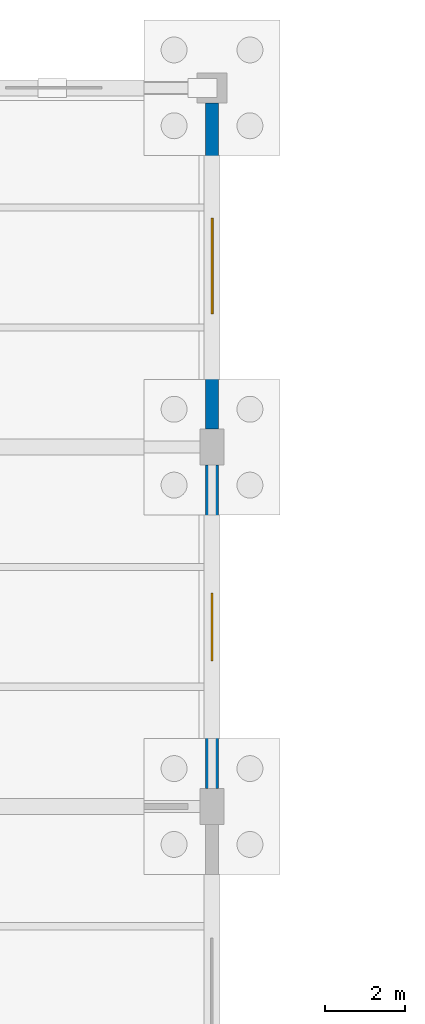
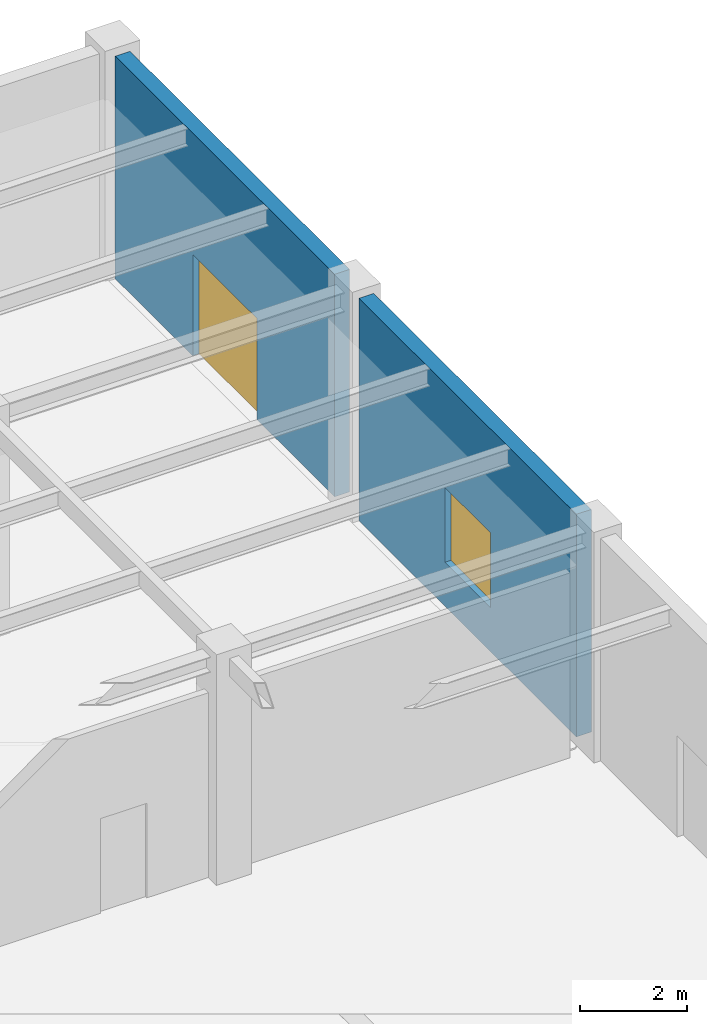
# One storey, part 70 of 85: 2 walls, 1 door, 1 window, 2 openings.
"""IFC4 building model written with IfcOpenShell, lengths in metres."""

from ifc_helpers import new_model, si_unit, direction, frame, frame_2d, origin, place, context, subcontext, project, spatial, rectangle, extrude, material, layer, layer_set, type_object, element, fill, save


model = new_model("IFC4")

# Units and contexts
model_context = context("Model", 3, precision=1e-05, world=origin(), true_north=direction((0.0, 1.0)))
body_context = subcontext(model_context, "Body", "Model", "MODEL_VIEW")
ifc_project = project(units=[si_unit("LENGTHUNIT", "METRE"), si_unit("AREAUNIT", "SQUARE_METRE"), si_unit("VOLUMEUNIT", "CUBIC_METRE"), si_unit("PLANEANGLEUNIT", "RADIAN"), si_unit("MASSUNIT", "GRAM", prefix="KILO")], contexts=[model_context])

# Site, building, storey
site_placement = place(None, origin())
site = spatial("IfcSite", under=ifc_project, at=site_placement, CompositionType="ELEMENT")
building_placement = place(site_placement, origin())
building = spatial("IfcBuilding", under=site, at=building_placement, Name="Keelwater Ferry Terminal", CompositionType="ELEMENT")
storey_placement = place(building_placement, origin())
storey = spatial("IfcBuildingStorey", under=building, at=storey_placement, Name="L00", CompositionType="ELEMENT", Elevation=0.0)

# Wall, opening, window
ifc_material_1 = material(Name="Precast concrete C40/50", Category="concrete")
ifc_layer = layer(ifc_material_1, 0.320068359375)
ifc_layer_set = layer_set([ifc_layer], Name="Precast concrete C40/50")
wall_type = type_object("IfcWallType", Name="EW-TC320 External Solid Wall 320", PredefinedType="SOLIDWALL", material=ifc_layer_set)
wall_1_placement = place(storey_placement, frame((180.0, 108.449951171875, 0.0), z_axis=(0.0, 0.0, 1.0), x_axis=(0.0, 1.0, 0.0)))
wall_1 = element("IfcWall", 1, at=wall_1_placement, inside=storey, type_object=wall_type, Name="External Wall WL-L00-0058", PredefinedType="SOLIDWALL", context=body_context, shape_type="SweptSolid", body=[
    extrude(rectangle(XDim=8.10009765625, YDim=0.320068359375, at=frame_2d((4.050048828125, 0.0))), origin(), (0.0, 0.0, 1.0), 5.06005859375),
])
opening_1_placement = place(wall_1_placement, frame((3.199951171875, 0.0, 1.0)))
opening_1 = element("IfcOpeningElement", 2, at=opening_1_placement, cuts=wall_1, Name="Opening WN-25", PredefinedType="OPENING", context=body_context, shape_type="SweptSolid", body=[
    extrude(rectangle(XDim=1.699951171875, YDim=1.699951171875, at=frame_2d((0.85009765625, 0.85009765625))), frame((0.0, 0.170166015625, 0.0), z_axis=(0.0, -1.0, 0.0), x_axis=(1.0, 0.0, 0.0)), (0.0, 0.0, 1.0), 0.340087890625),
])
ifc_material_2 = material(Name="Triple low-E glass in thermally broken aluminium frame", Category="aluminium")
window_type = type_object("IfcWindowType", Name="WN-25 Exterior Window 1700x1700", PartitioningType="SINGLE_PANEL", PredefinedType="WINDOW", material=ifc_material_2)
window_placement = place(opening_1_placement, origin())
window = element("IfcWindow", 3, at=window_placement, inside=storey, type_object=window_type, Name="Window WN-L00-0025", OverallHeight=1.699951171875, OverallWidth=1.699951171875, PartitioningType="SINGLE_PANEL", PredefinedType="WINDOW", context=body_context, shape_type="SweptSolid", body=[
    extrude(rectangle(XDim=1.699951171875, YDim=1.699951171875, at=frame_2d((0.85009765625, 0.85009765625))), frame((0.0, 0.030029296875, 0.0), z_axis=(0.0, -1.0, 0.0), x_axis=(1.0, 0.0, 0.0)), (0.0, 0.0, 1.0), 0.06005859375),
])
fill(opening_1, window)

# Wall, opening, door
wall_2_placement = place(storey_placement, frame((180.0, 117.449951171875, 0.0), z_axis=(0.0, 0.0, 1.0), x_axis=(0.0, 1.0, 0.0)))
wall_2 = element("IfcWall", 4, at=wall_2_placement, inside=storey, type_object=wall_type, Name="External Wall WL-L00-0059", PredefinedType="SOLIDWALL", context=body_context, shape_type="SweptSolid", body=[
    extrude(rectangle(XDim=8.175048828125, YDim=0.320068359375, at=frame_2d((4.08740234375, 0.0))), origin(), (0.0, 0.0, 1.0), 5.06005859375),
])
opening_2_placement = place(wall_2_placement, frame((2.886962890625, 0.0, 0.0)))
opening_2 = element("IfcOpeningElement", 5, at=opening_2_placement, cuts=wall_2, Name="Opening ED-19", PredefinedType="OPENING", context=body_context, shape_type="SweptSolid", body=[
    extrude(rectangle(XDim=2.39990234375, YDim=2.300048828125, at=frame_2d((1.199951171875, 1.14990234375))), frame((0.0, 0.170166015625, 0.0), z_axis=(0.0, -1.0, 0.0), x_axis=(1.0, 0.0, 0.0)), (0.0, 0.0, 1.0), 0.340087890625),
])
ifc_material_3 = material(Name="Anodised aluminium and laminated safety glass", Category="aluminium")
door_type = type_object("IfcDoorType", Name="ED-T1 Pedestrian Door 2400x2300", OperationType="DOUBLE_DOOR_SINGLE_SWING", PredefinedType="DOOR", material=ifc_material_3)
door_placement = place(opening_2_placement, origin())
door = element("IfcDoor", 6, at=door_placement, inside=storey, type_object=door_type, Name="Door ED-19", OperationType="DOUBLE_DOOR_SINGLE_SWING", OverallHeight=2.300048828125, OverallWidth=2.39990234375, PredefinedType="DOOR", context=body_context, shape_type="SweptSolid", body=[
    extrude(rectangle(XDim=2.39990234375, YDim=2.300048828125, at=frame_2d((1.199951171875, 1.14990234375))), frame((0.0, 0.02490234375, 0.0), z_axis=(0.0, -1.0, 0.0), x_axis=(1.0, 0.0, 0.0)), (0.0, 0.0, 1.0), 0.050048828125),
])
fill(opening_2, door)

save(model, "model.ifc")
